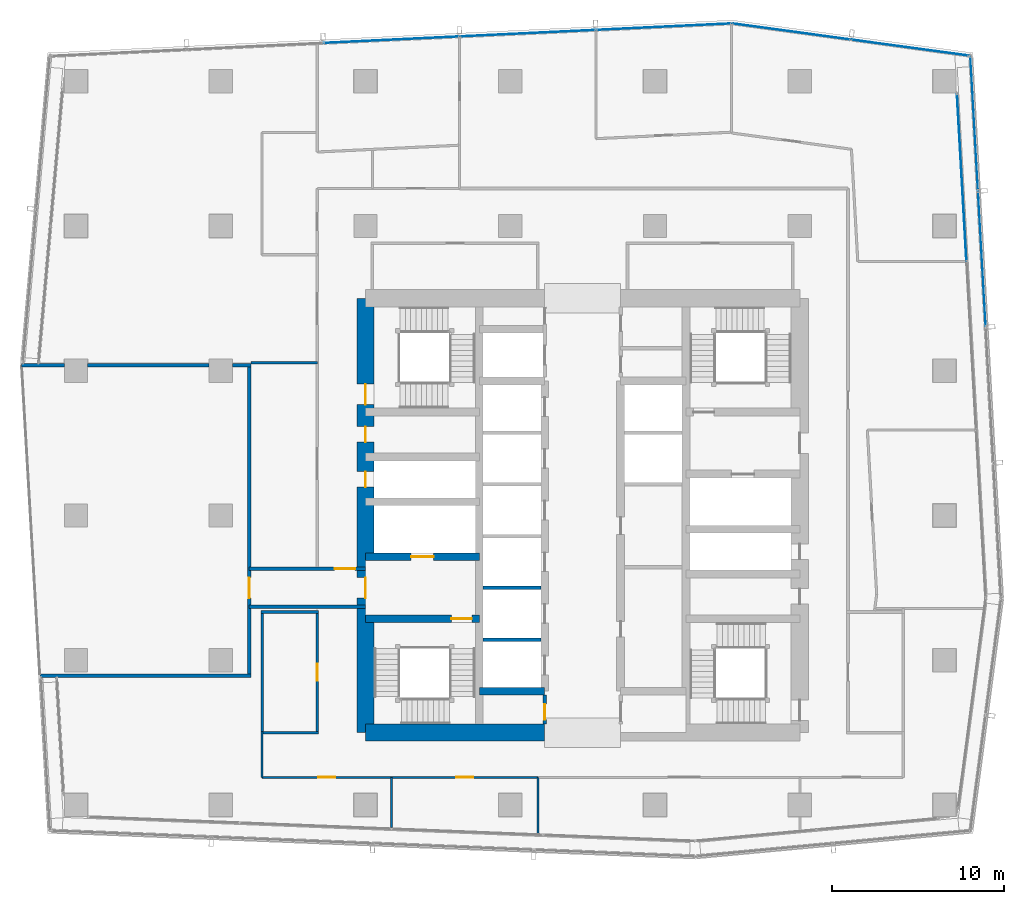
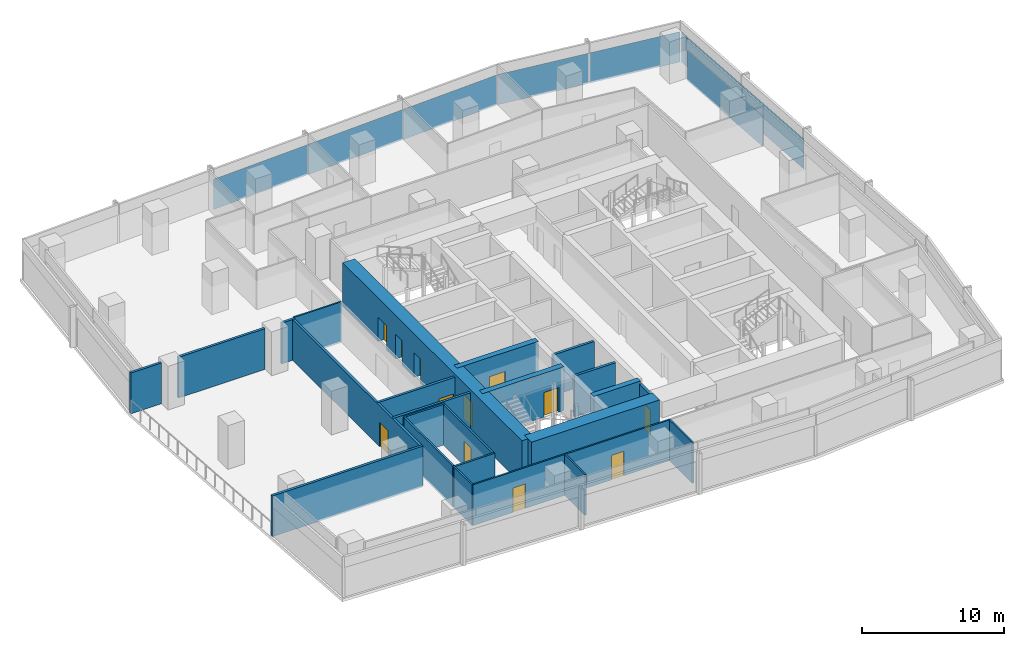
# One storey, part 26 of 39: 25 walls, 12 doors, 8 plates, 12 openings, 4 elements without a shape of their own.
"""IFC4 building model written with IfcOpenShell, lengths in metres."""

from ifc_helpers import new_model, si_unit, direction, frame, frame_2d, origin, origin_2d, place, context, subcontext, project, spatial, rectangle, extrude, material, layer, layer_set, type_object, element, fill, aggregate, save


model = new_model("IFC4")

# Units and contexts
model_context = context("Model", 3, precision=1e-05, world=origin(), true_north=direction((0.0, 1.0)))
body_context = subcontext(model_context, "Body", "Model", "MODEL_VIEW")
ifc_project = project(units=[si_unit("LENGTHUNIT", "METRE"), si_unit("AREAUNIT", "SQUARE_METRE"), si_unit("VOLUMEUNIT", "CUBIC_METRE"), si_unit("PLANEANGLEUNIT", "RADIAN"), si_unit("MASSUNIT", "GRAM", prefix="KILO")], contexts=[model_context])

# Site, building, storey
site_placement = place(None, origin())
site = spatial("IfcSite", under=ifc_project, at=site_placement, CompositionType="ELEMENT")
building_placement = place(site_placement, origin())
building = spatial("IfcBuilding", under=site, at=building_placement, Name="Rekha Terrace Tower", CompositionType="ELEMENT")
storey_placement = place(building_placement, frame((0.0, 0.0, 221.449951171875)))
storey = spatial("IfcBuildingStorey", under=building, at=storey_placement, Name="L56", CompositionType="ELEMENT", Elevation=221.449951171875)

# Curtain wall, plate
ifc_material_1 = material(Name="Aluminium framing", Category="aluminium")
curtain_wall_type_1 = type_object("IfcCurtainWallType", Name="CW1 double skin inner glazing", PredefinedType="USERDEFINED", material=ifc_material_1)
curtain_wall_1_placement = place(storey_placement, origin())
curtain_wall_1 = element("IfcCurtainWall", 1, at=curtain_wall_1_placement, inside=storey, type_object=curtain_wall_type_1, Name="CW1 double skin inner glazing", ObjectType="DOUBLE SKIN INNER GLAZING", PredefinedType="USERDEFINED")
ifc_material_2 = material(Name="Double-glazed low-e unit 32", Category="glass")
ifc_layer_1 = layer(ifc_material_2, 0.031982421875)
ifc_layer_set_1 = layer_set([ifc_layer_1], Name="Double-glazed low-e unit 32")
plate_type_1 = type_object("IfcPlateType", Name="CW1 jumbo vision panel, double-glazed low-e unit 32", PredefinedType="CURTAIN_PANEL", material=ifc_layer_set_1)
plate_1_placement = place(storey_placement, frame((59.799560546875, 53.203369140625, 0.0), z_axis=(0.0, 0.0, 1.0), x_axis=(-0.05667319486, 0.998392782919, 0.0)))
plate_1 = element("IfcPlate", 2, at=plate_1_placement, type_object=plate_type_1, Name="CW1 panel 3.1", PredefinedType="CURTAIN_PANEL", context=body_context, shape_type="SweptSolid", body=[
    extrude(rectangle(XDim=9.694091796875, YDim=0.031982421875, at=origin_2d()), origin(), (0.0, 0.0, 1.0), 2.60009765625),
])
aggregate(curtain_wall_1, [plate_1])

# Curtain wall, plates
curtain_wall_type_2 = type_object("IfcCurtainWallType", Name="CW2 double skin outer glazing", PredefinedType="USERDEFINED", material=ifc_material_1)
curtain_wall_2_placement = place(storey_placement, origin())
curtain_wall_2 = element("IfcCurtainWall", 3, at=curtain_wall_2_placement, inside=storey, type_object=curtain_wall_type_2, Name="CW2 double skin outer glazing", ObjectType="DOUBLE SKIN OUTER GLAZING", PredefinedType="USERDEFINED")
ifc_material_3 = material(Name="Toughened single glazing 12", Category="glass")
ifc_layer_2 = layer(ifc_material_3, 0.011962890625)
ifc_layer_set_2 = layer_set([ifc_layer_2], Name="Toughened single glazing 12")
plate_type_2 = type_object("IfcPlateType", Name="CW2 jumbo vision panel, toughened single glazing 12", PredefinedType="CURTAIN_PANEL", material=ifc_layer_set_2)
plate_2_placement = place(storey_placement, frame((60.9697265625, 48.47314453125, 0.0), z_axis=(0.0, 0.0, 1.0), x_axis=(-0.05667319486, 0.998392782919, 0.0)))
plate_2 = element("IfcPlate", 4, at=plate_2_placement, type_object=plate_type_2, Name="CW2 panel 3.1", PredefinedType="CURTAIN_PANEL", context=body_context, shape_type="SweptSolid", body=[
    extrude(rectangle(XDim=7.823486328125, YDim=0.011962890625, at=origin_2d()), origin(), (0.0, 0.0, 1.0), 2.60009765625),
])
plate_3_placement = place(storey_placement, frame((60.522705078125, 56.343994140625, 0.0), z_axis=(0.0, 0.0, 1.0), x_axis=(-0.05667319486, 0.998392782919, 0.0)))
plate_3 = element("IfcPlate", 5, at=plate_3_placement, type_object=plate_type_2, Name="CW2 panel 4.1", PredefinedType="CURTAIN_PANEL", context=body_context, shape_type="SweptSolid", body=[
    extrude(rectangle(XDim=7.783447265625, YDim=0.011962890625, at=origin_2d()), origin(), (0.0, 0.0, 1.0), 2.60009765625),
])
aggregate(curtain_wall_2, [plate_2, plate_3])

curtain_wall_type_3 = type_object("IfcCurtainWallType", Name="CW3 north unitised glazing", PredefinedType="USERDEFINED", material=ifc_material_1)
curtain_wall_3_placement = place(storey_placement, origin())
curtain_wall_3 = element("IfcCurtainWall", 6, at=curtain_wall_3_placement, inside=storey, type_object=curtain_wall_type_3, Name="CW3 unitised curtain wall", ObjectType="UNITISED CURTAIN WALL", PredefinedType="USERDEFINED")
ifc_material_4 = material(Name="Double-glazed unit 28", Category="glass")
ifc_layer_3 = layer(ifc_material_4, 0.028076171875)
ifc_layer_set_3 = layer_set([ifc_layer_3], Name="Double-glazed unit 28")
plate_type_3 = type_object("IfcPlateType", Name="CW3 jumbo vision panel, double-glazed unit 28", PredefinedType="CURTAIN_PANEL", material=ifc_layer_set_3)
plate_4_placement = place(storey_placement, frame((56.797119140625, 60.745361328125, 0.0), z_axis=(0.0, 0.0, 1.0), x_axis=(-0.990867270504, 0.134840840416, 0.0)))
plate_4 = element("IfcPlate", 7, at=plate_4_placement, type_object=plate_type_3, Name="CW3 panel 1.1", PredefinedType="CURTAIN_PANEL", context=body_context, shape_type="SweptSolid", body=[
    extrude(rectangle(XDim=6.8486328125, YDim=0.028076171875, at=origin_2d()), origin(), (0.0, 0.0, 1.0), 2.60009765625),
])
plate_5_placement = place(storey_placement, frame((49.906982421875, 61.682861328125, 0.0), z_axis=(0.0, 0.0, 1.0), x_axis=(-0.990867270504, 0.134840840416, 0.0)))
plate_5 = element("IfcPlate", 8, at=plate_5_placement, type_object=plate_type_3, Name="CW3 panel 2.1", PredefinedType="CURTAIN_PANEL", context=body_context, shape_type="SweptSolid", body=[
    extrude(rectangle(XDim=6.918701171875, YDim=0.028076171875, at=origin_2d()), origin(), (0.0, 0.0, 1.0), 2.60009765625),
])
aggregate(curtain_wall_3, [plate_4, plate_5])

curtain_wall_4_placement = place(storey_placement, origin())
curtain_wall_4 = element("IfcCurtainWall", 9, at=curtain_wall_4_placement, inside=storey, type_object=curtain_wall_type_3, Name="CW3 unitised curtain wall", ObjectType="UNITISED CURTAIN WALL", PredefinedType="USERDEFINED")
plate_6_placement = place(storey_placement, frame((42.50732421875, 61.95947265625, 0.0), z_axis=(0.0, 0.0, 1.0), x_axis=(-0.998858906204, -0.047758616983, 0.0)))
plate_6 = element("IfcPlate", 10, at=plate_6_placement, type_object=plate_type_3, Name="CW3 panel 1.1", PredefinedType="CURTAIN_PANEL", context=body_context, shape_type="SweptSolid", body=[
    extrude(rectangle(XDim=7.81298828125, YDim=0.028076171875, at=origin_2d()), origin(), (0.0, 0.0, 1.0), 2.60009765625),
])
plate_7_placement = place(storey_placement, frame((34.61572265625, 61.58203125, 0.0), z_axis=(0.0, 0.0, 1.0), x_axis=(-0.998858906204, -0.047758616983, 0.0)))
plate_7 = element("IfcPlate", 11, at=plate_7_placement, type_object=plate_type_3, Name="CW3 panel 2.1", PredefinedType="CURTAIN_PANEL", context=body_context, shape_type="SweptSolid", body=[
    extrude(rectangle(XDim=7.84814453125, YDim=0.028076171875, at=origin_2d()), origin(), (0.0, 0.0, 1.0), 2.60009765625),
])
plate_8_placement = place(storey_placement, frame((26.70654296875, 61.203857421875, 0.0), z_axis=(0.0, 0.0, 1.0), x_axis=(-0.998858906204, -0.047758616983, 0.0)))
plate_8 = element("IfcPlate", 12, at=plate_8_placement, type_object=plate_type_3, Name="CW3 panel 3.1", PredefinedType="CURTAIN_PANEL", context=body_context, shape_type="SweptSolid", body=[
    extrude(rectangle(XDim=7.84814453125, YDim=0.028076171875, at=origin_2d()), origin(), (0.0, 0.0, 1.0), 2.60009765625),
])
aggregate(curtain_wall_4, [plate_6, plate_7, plate_8])

# Wall
ifc_material_5 = material(Name="Concrete M60", Category="concrete")
ifc_layer_4 = layer(ifc_material_5, 0.449951171875)
ifc_layer_set_4 = layer_set([ifc_layer_4], Name="Concrete M60")
wall_type_1 = type_object("IfcWallType", Name="CI3 450 core internal shear wall", PredefinedType="SHEAR", material=ifc_layer_set_4)
wall_1_placement = place(storey_placement, frame((31.800048828125, 23.39990234375, 0.0), z_axis=(0.0, 0.0, 1.0), x_axis=(1.0, 0.0, 0.0)))
element("IfcWall", 13, at=wall_1_placement, inside=storey, type_object=wall_type_1, Name="Core wall Y234W L56", PredefinedType="SHEAR", context=body_context, shape_type="SweptSolid", body=[
    extrude(rectangle(XDim=3.800048828125, YDim=0.449951171875, at=frame_2d((1.89990234375, 0.0))), origin(), (0.0, 0.0, 1.0), 3.75),
])

# Wall, opening, door
wall_2_placement = place(storey_placement, frame((25.199951171875, 27.60009765625, 0.0), z_axis=(0.0, 0.0, 1.0), x_axis=(1.0, 0.0, 0.0)))
wall_2 = element("IfcWall", 14, at=wall_2_placement, inside=storey, type_object=wall_type_1, Name="Core wall Y276W L56", PredefinedType="SHEAR", context=body_context, shape_type="SweptSolid", body=[
    extrude(rectangle(XDim=6.60009765625, YDim=0.449951171875, at=frame_2d((3.300048828125, 0.0))), origin(), (0.0, 0.0, 1.0), 3.75),
])
opening_1_placement = place(wall_2_placement, frame((4.97509765625, 0.0, 0.0)))
opening_1 = element("IfcOpeningElement", 15, at=opening_1_placement, cuts=wall_2, Name="Opening D1", PredefinedType="OPENING", context=body_context, shape_type="SweptSolid", body=[
    extrude(rectangle(XDim=1.199951171875, YDim=2.10009765625, at=frame_2d((0.60009765625, 1.050048828125))), frame((0.0, 0.23486328125, 0.0), z_axis=(0.0, -1.0, 0.0), x_axis=(1.0, 0.0, 0.0)), (0.0, 0.0, 1.0), 0.469970703125),
])
ifc_material_6 = material(Name="Steel fire door", Category="steel")
door_type_1 = type_object("IfcDoorType", Name="D1 1200x2100 stair fire door", OperationType="SINGLE_SWING_RIGHT", PredefinedType="DOOR", material=ifc_material_6)
door_1_placement = place(opening_1_placement, origin())
door_1 = element("IfcDoor", 16, at=door_1_placement, inside=storey, type_object=door_type_1, Name="Stair ST1 door L56", OperationType="SINGLE_SWING_RIGHT", OverallHeight=2.10009765625, OverallWidth=1.199951171875, PredefinedType="DOOR", context=body_context, shape_type="SweptSolid", body=[
    extrude(rectangle(XDim=1.199951171875, YDim=2.10009765625, at=frame_2d((0.60009765625, 1.050048828125))), frame((0.0, 0.02490234375, 0.0), z_axis=(0.0, -1.0, 0.0), x_axis=(1.0, 0.0, 0.0)), (0.0, 0.0, 1.0), 0.050048828125),
])
fill(opening_1, door_1)

wall_3_placement = place(storey_placement, frame((25.199951171875, 31.199951171875, 0.0), z_axis=(0.0, 0.0, 1.0), x_axis=(1.0, 0.0, 0.0)))
wall_3 = element("IfcWall", 17, at=wall_3_placement, inside=storey, type_object=wall_type_1, Name="Core wall Y312W L56", PredefinedType="SHEAR", context=body_context, shape_type="SweptSolid", body=[
    extrude(rectangle(XDim=6.60009765625, YDim=0.449951171875, at=frame_2d((3.300048828125, 0.0))), origin(), (0.0, 0.0, 1.0), 3.75),
])
opening_2_placement = place(wall_3_placement, frame((2.64990234375, 0.0, 0.0)))
opening_2 = element("IfcOpeningElement", 18, at=opening_2_placement, cuts=wall_3, Name="Opening LD2", PredefinedType="OPENING", context=body_context, shape_type="SweptSolid", body=[
    extrude(rectangle(XDim=1.300048828125, YDim=2.10009765625, at=frame_2d((0.64990234375, 1.050048828125))), frame((0.0, 0.23486328125, 0.0), z_axis=(0.0, -1.0, 0.0), x_axis=(1.0, 0.0, 0.0)), (0.0, 0.0, 1.0), 0.469970703125),
])
ifc_material_7 = material(Name="Stainless steel sliding landing door", Category="steel")
door_type_2 = type_object("IfcDoorType", Name="LD2 1300x2100 fire lift landing door", OperationType="SLIDING_TO_LEFT", PredefinedType="USERDEFINED", material=ifc_material_7)
door_2_placement = place(opening_2_placement, origin())
door_2 = element("IfcDoor", 19, at=door_2_placement, inside=storey, type_object=door_type_2, Name="Lift FL1 landing door L56", ObjectType="LIFT LANDING DOOR", OperationType="SLIDING_TO_LEFT", OverallHeight=2.10009765625, OverallWidth=1.300048828125, PredefinedType="USERDEFINED", context=body_context, shape_type="SweptSolid", body=[
    extrude(rectangle(XDim=1.300048828125, YDim=2.10009765625, at=frame_2d((0.64990234375, 1.050048828125))), frame((0.0, 0.02490234375, 0.0), z_axis=(0.0, -1.0, 0.0), x_axis=(1.0, 0.0, 0.0)), (0.0, 0.0, 1.0), 0.050048828125),
])
fill(opening_2, door_2)

# Wall
ifc_layer_5 = layer(ifc_material_5, 1.0)
ifc_layer_set_5 = layer_set([ifc_layer_5], Name="Concrete M60")
wall_type_2 = type_object("IfcWallType", Name="SW3 1000 core outer shear wall", PredefinedType="SHEAR", material=ifc_layer_set_5)
wall_4_placement = place(storey_placement, frame((25.199951171875, 21.0, 0.0), z_axis=(0.0, 0.0, 1.0), x_axis=(1.0, 0.0, 0.0)))
element("IfcWall", 20, at=wall_4_placement, inside=storey, type_object=wall_type_2, Name="Core wall S1 L56", PredefinedType="SHEAR", context=body_context, shape_type="SweptSolid", body=[
    extrude(rectangle(XDim=10.400146484375, YDim=1.0, at=frame_2d((5.2001953125, 0.0))), origin(), (0.0, 0.0, 1.0), 3.75),
])

# Wall, openings, doors
wall_5_placement = place(storey_placement, frame((25.199951171875, 21.0, 0.0), z_axis=(0.0, 0.0, 1.0), x_axis=(0.0, 1.0, 0.0)))
wall_5 = element("IfcWall", 21, at=wall_5_placement, inside=storey, type_object=wall_type_2, Name="Core wall W L56", PredefinedType="SHEAR", context=body_context, shape_type="SweptSolid", body=[
    extrude(rectangle(XDim=25.199951171875, YDim=1.0, at=frame_2d((12.60009765625, 0.0))), origin(), (0.0, 0.0, 1.0), 3.75),
])
opening_3_placement = place(wall_5_placement, frame((7.800048828125, 0.0, 0.0)))
opening_3 = element("IfcOpeningElement", 22, at=opening_3_placement, cuts=wall_5, Name="Opening D2", PredefinedType="OPENING", context=body_context, shape_type="SweptSolid", body=[
    extrude(rectangle(XDim=1.199951171875, YDim=2.10009765625, at=frame_2d((0.60009765625, 1.050048828125))), frame((0.0, 0.510009765625, 0.0), z_axis=(0.0, -1.0, 0.0), x_axis=(1.0, 0.0, 0.0)), (0.0, 0.0, 1.0), 1.02001953125),
])
opening_4_placement = place(wall_5_placement, frame((14.25, 0.0, 0.0)))
opening_4 = element("IfcOpeningElement", 23, at=opening_4_placement, cuts=wall_5, Name="Opening D5", PredefinedType="OPENING", context=body_context, shape_type="SweptSolid", body=[
    extrude(rectangle(XDim=0.89990234375, YDim=2.10009765625, at=frame_2d((0.449951171875, 1.050048828125))), frame((0.0, 0.510009765625, 0.0), z_axis=(0.0, -1.0, 0.0), x_axis=(1.0, 0.0, 0.0)), (0.0, 0.0, 1.0), 1.02001953125),
])
opening_5_placement = place(wall_5_placement, frame((16.85009765625, 0.0, 0.0)))
opening_5 = element("IfcOpeningElement", 24, at=opening_5_placement, cuts=wall_5, Name="Opening D5", PredefinedType="OPENING", context=body_context, shape_type="SweptSolid", body=[
    extrude(rectangle(XDim=0.89990234375, YDim=2.10009765625, at=frame_2d((0.449951171875, 1.050048828125))), frame((0.0, 0.510009765625, 0.0), z_axis=(0.0, -1.0, 0.0), x_axis=(1.0, 0.0, 0.0)), (0.0, 0.0, 1.0), 1.02001953125),
])
opening_6_placement = place(wall_5_placement, frame((19.02490234375, 0.0, 0.0)))
opening_6 = element("IfcOpeningElement", 25, at=opening_6_placement, cuts=wall_5, Name="Opening D1", PredefinedType="OPENING", context=body_context, shape_type="SweptSolid", body=[
    extrude(rectangle(XDim=1.199951171875, YDim=2.10009765625, at=frame_2d((0.60009765625, 1.050048828125))), frame((0.0, 0.510009765625, 0.0), z_axis=(0.0, -1.0, 0.0), x_axis=(1.0, 0.0, 0.0)), (0.0, 0.0, 1.0), 1.02001953125),
])
door_3_placement = place(opening_6_placement, origin())
door_3 = element("IfcDoor", 26, at=door_3_placement, inside=storey, type_object=door_type_1, Name="Stair ST4 door L56", OperationType="SINGLE_SWING_RIGHT", OverallHeight=2.10009765625, OverallWidth=1.199951171875, PredefinedType="DOOR", context=body_context, shape_type="SweptSolid", body=[
    extrude(rectangle(XDim=1.199951171875, YDim=2.10009765625, at=frame_2d((0.60009765625, 1.050048828125))), frame((0.0, 0.02490234375, 0.0), z_axis=(0.0, -1.0, 0.0), x_axis=(1.0, 0.0, 0.0)), (0.0, 0.0, 1.0), 0.050048828125),
])
fill(opening_6, door_3)
door_type_3 = type_object("IfcDoorType", Name="D2 1200x2100 firefighting lobby door", OperationType="SINGLE_SWING_LEFT", PredefinedType="DOOR", material=ifc_material_6)
door_4_placement = place(opening_3_placement, origin())
door_4 = element("IfcDoor", 27, at=door_4_placement, inside=storey, type_object=door_type_3, Name="Door flb1 L56", OperationType="SINGLE_SWING_LEFT", OverallHeight=2.10009765625, OverallWidth=1.199951171875, PredefinedType="DOOR", context=body_context, shape_type="SweptSolid", body=[
    extrude(rectangle(XDim=1.199951171875, YDim=2.10009765625, at=frame_2d((0.60009765625, 1.050048828125))), frame((0.0, 0.02490234375, 0.0), z_axis=(0.0, -1.0, 0.0), x_axis=(1.0, 0.0, 0.0)), (0.0, 0.0, 1.0), 0.050048828125),
])
fill(opening_3, door_4)
door_type_4 = type_object("IfcDoorType", Name="D5 900x2100 riser access door", OperationType="SINGLE_SWING_LEFT", PredefinedType="DOOR", material=ifc_material_6)
door_5_placement = place(opening_4_placement, origin())
door_5 = element("IfcDoor", 28, at=door_5_placement, inside=storey, type_object=door_type_4, Name="Door rs1 L56", OperationType="SINGLE_SWING_LEFT", OverallHeight=2.10009765625, OverallWidth=0.89990234375, PredefinedType="DOOR", context=body_context, shape_type="SweptSolid", body=[
    extrude(rectangle(XDim=0.89990234375, YDim=2.10009765625, at=frame_2d((0.449951171875, 1.050048828125))), frame((0.0, 0.02490234375, 0.0), z_axis=(0.0, -1.0, 0.0), x_axis=(1.0, 0.0, 0.0)), (0.0, 0.0, 1.0), 0.050048828125),
])
fill(opening_4, door_5)
door_6_placement = place(opening_5_placement, origin())
door_6 = element("IfcDoor", 29, at=door_6_placement, inside=storey, type_object=door_type_4, Name="Door elw L56", OperationType="SINGLE_SWING_LEFT", OverallHeight=2.10009765625, OverallWidth=0.89990234375, PredefinedType="DOOR", context=body_context, shape_type="SweptSolid", body=[
    extrude(rectangle(XDim=0.89990234375, YDim=2.10009765625, at=frame_2d((0.449951171875, 1.050048828125))), frame((0.0, 0.02490234375, 0.0), z_axis=(0.0, -1.0, 0.0), x_axis=(1.0, 0.0, 0.0)), (0.0, 0.0, 1.0), 0.050048828125),
])
fill(opening_5, door_6)

# Walls
ifc_material_8 = material(Name="Concrete block masonry, 1 hour", Category="masonry")
ifc_layer_6 = layer(ifc_material_8, 0.14990234375)
ifc_layer_set_6 = layer_set([ifc_layer_6], Name="Concrete block masonry, 1 hour")
wall_type_3 = type_object("IfcWallType", Name="WP2 150 tenancy partition", PredefinedType="PARTITIONING", material=ifc_layer_set_6)
for number, where, z_axis, x_axis, name in (
    (30, (19.125, 21.0, 0.0), (0.0, 0.0, 1.0), (1.0, 0.0, 0.0), "Men's WC wall L56"),
    (31, (19.125, 28.0, 0.0), (0.0, 0.0, 1.0), (1.0, 0.0, 0.0), "Men's WC wall L56"),
):
    element("IfcWall", number, at=place(storey_placement, frame(where, z_axis=z_axis, x_axis=x_axis)), inside=storey, type_object=wall_type_3, Name=name, PredefinedType="PARTITIONING", context=body_context, shape_type="SweptSolid", body=[
        extrude(rectangle(XDim=3.35009765625, YDim=0.14990234375, at=frame_2d((1.675048828125, 0.0))), origin(), (0.0, 0.0, 1.0), 3.5),
    ])
wall_6_placement = place(storey_placement, frame((19.199951171875, 21.074951171875, 0.0), z_axis=(0.0, 0.0, 1.0), x_axis=(0.0, 1.0, 0.0)))
element("IfcWall", 32, at=wall_6_placement, inside=storey, type_object=wall_type_3, Name="Men's WC wall L56", PredefinedType="PARTITIONING", context=body_context, shape_type="SweptSolid", body=[
    extrude(rectangle(XDim=6.85009765625, YDim=0.14990234375, at=frame_2d((3.425048828125, 0.0))), origin(), (0.0, 0.0, 1.0), 3.5),
])

# Wall, opening, door
wall_7_placement = place(storey_placement, frame((22.39990234375, 21.074951171875, 0.0), z_axis=(0.0, 0.0, 1.0), x_axis=(0.0, 1.0, 0.0)))
wall_7 = element("IfcWall", 33, at=wall_7_placement, inside=storey, type_object=wall_type_3, Name="Men's WC wall L56", PredefinedType="PARTITIONING", context=body_context, shape_type="SweptSolid", body=[
    extrude(rectangle(XDim=6.85009765625, YDim=0.14990234375, at=frame_2d((3.425048828125, 0.0))), origin(), (0.0, 0.0, 1.0), 3.5),
])
opening_7_placement = place(wall_7_placement, frame((2.925048828125, 0.0, 0.0)))
opening_7 = element("IfcOpeningElement", 34, at=opening_7_placement, cuts=wall_7, Name="Opening D3", PredefinedType="OPENING", context=body_context, shape_type="SweptSolid", body=[
    extrude(rectangle(XDim=1.0, YDim=2.10009765625, at=frame_2d((0.5, 1.050048828125))), frame((0.0, 0.0849609375, 0.0), z_axis=(0.0, -1.0, 0.0), x_axis=(1.0, 0.0, 0.0)), (0.0, 0.0, 1.0), 0.169921875),
])
ifc_material_9 = material(Name="Laminated timber fire door", Category="wood")
door_type_5 = type_object("IfcDoorType", Name="D3 1000x2100 WC door", OperationType="SINGLE_SWING_LEFT", PredefinedType="DOOR", material=ifc_material_9)
door_7_placement = place(opening_7_placement, origin())
door_7 = element("IfcDoor", 35, at=door_7_placement, inside=storey, type_object=door_type_5, Name="Door men's wc L56", OperationType="SINGLE_SWING_LEFT", OverallHeight=2.10009765625, OverallWidth=1.0, PredefinedType="DOOR", context=body_context, shape_type="SweptSolid", body=[
    extrude(rectangle(XDim=1.0, YDim=2.10009765625, at=frame_2d((0.5, 1.050048828125))), frame((0.0, 0.02490234375, 0.0), z_axis=(0.0, -1.0, 0.0), x_axis=(1.0, 0.0, 0.0)), (0.0, 0.0, 1.0), 0.050048828125),
])
fill(opening_7, door_7)

# Walls
ifc_material_10 = material(Name="Two layers of fire-rated gypsum board each side on steel studs, acoustic quilt, 1 hour", Category="steel")
ifc_layer_7 = layer(ifc_material_10, 0.125)
ifc_layer_set_7 = layer_set([ifc_layer_7], Name="Two layers of fire-rated gypsum board each side on steel studs, acoustic quilt, 1 hour")
wall_type_4 = type_object("IfcWallType", Name="WP3 125 office partition", PredefinedType="PARTITIONING", material=ifc_layer_set_7)
wall_8_placement = place(storey_placement, frame((35.198974609375, 15.1259765625, 0.0), z_axis=(0.0, 0.0, 1.0), x_axis=(0.0, 1.0, 0.0)))
element("IfcWall", 36, at=wall_8_placement, inside=storey, type_object=wall_type_4, Name="Partition L56-02", PredefinedType="PARTITIONING", context=body_context, shape_type="SweptSolid", body=[
    extrude(rectangle(XDim=3.27392578125, YDim=0.125, at=frame_2d((1.636962890625, 0.0))), origin(), (0.0, 0.0, 1.0), 3.5),
])
wall_9_placement = place(storey_placement, frame((22.39990234375, 42.4599609375, 0.0), z_axis=(0.0, 0.0, 1.0), x_axis=(-1.0, 0.0, 0.0)))
element("IfcWall", 37, at=wall_9_placement, inside=storey, type_object=wall_type_4, Name="Partition L56-09", PredefinedType="PARTITIONING", context=body_context, shape_type="SweptSolid", body=[
    extrude(rectangle(XDim=3.848876953125, YDim=0.125, at=frame_2d((1.92431640625, 0.0))), origin(), (0.0, 0.0, 1.0), 3.5),
])
wall_10_placement = place(storey_placement, frame((19.199951171875, 21.074951171875, 0.0), z_axis=(0.0, 0.0, 1.0), x_axis=(0.0, -1.0, 0.0)))
element("IfcWall", 38, at=wall_10_placement, inside=storey, type_object=wall_type_4, Name="Partition L56-10", PredefinedType="PARTITIONING", context=body_context, shape_type="SweptSolid", body=[
    extrude(rectangle(XDim=2.675048828125, YDim=0.125, at=frame_2d((1.33740234375, 0.0))), origin(), (0.0, 0.0, 1.0), 3.5),
])

# Wall, opening, door
wall_11_placement = place(storey_placement, frame((19.199951171875, 18.39990234375, 0.0), z_axis=(0.0, 0.0, 1.0), x_axis=(1.0, 0.0, 0.0)))
wall_11 = element("IfcWall", 39, at=wall_11_placement, inside=storey, type_object=wall_type_4, Name="Partition L56-10", PredefinedType="PARTITIONING", context=body_context, shape_type="SweptSolid", body=[
    extrude(rectangle(XDim=7.5029296875, YDim=0.125, at=frame_2d((3.75146484375, 0.0))), origin(), (0.0, 0.0, 1.0), 3.5),
])
opening_8_placement = place(wall_11_placement, frame((3.251953125, 0.0, 0.0)))
opening_8 = element("IfcOpeningElement", 40, at=opening_8_placement, cuts=wall_11, Name="Opening D9", PredefinedType="OPENING", context=body_context, shape_type="SweptSolid", body=[
    extrude(rectangle(XDim=1.0, YDim=2.10009765625, at=frame_2d((0.5, 1.050048828125))), frame((0.0, 0.072509765625, 0.0), z_axis=(0.0, -1.0, 0.0), x_axis=(1.0, 0.0, 0.0)), (0.0, 0.0, 1.0), 0.14501953125),
])
ifc_material_11 = material(Name="Timber fire door", Category="wood")
door_type_6 = type_object("IfcDoorType", Name="D9 1000x2100 office door", OperationType="SINGLE_SWING_LEFT", PredefinedType="DOOR", material=ifc_material_11)
door_8_placement = place(opening_8_placement, origin())
door_8 = element("IfcDoor", 41, at=door_8_placement, inside=storey, type_object=door_type_6, Name="Door director's office L56", OperationType="SINGLE_SWING_LEFT", OverallHeight=2.10009765625, OverallWidth=1.0, PredefinedType="DOOR", context=body_context, shape_type="SweptSolid", body=[
    extrude(rectangle(XDim=1.0, YDim=2.10009765625, at=frame_2d((0.5, 1.050048828125))), frame((0.0, 0.02490234375, 0.0), z_axis=(0.0, -1.0, 0.0), x_axis=(1.0, 0.0, 0.0)), (0.0, 0.0, 1.0), 0.050048828125),
])
fill(opening_8, door_8)

# Wall
wall_12_placement = place(storey_placement, frame((26.702880859375, 18.39990234375, 0.0), z_axis=(0.0, 0.0, 1.0), x_axis=(0.0, -1.0, 0.0)))
element("IfcWall", 42, at=wall_12_placement, inside=storey, type_object=wall_type_4, Name="Partition L56-10", PredefinedType="PARTITIONING", context=body_context, shape_type="SweptSolid", body=[
    extrude(rectangle(XDim=2.90478515625, YDim=0.125, at=frame_2d((1.452392578125, 0.0))), origin(), (0.0, 0.0, 1.0), 3.5),
])

# Wall, opening, door
wall_13_placement = place(storey_placement, frame((26.7041015625, 18.39990234375, 0.0), z_axis=(0.0, 0.0, 1.0), x_axis=(1.0, 0.0, 0.0)))
wall_13 = element("IfcWall", 43, at=wall_13_placement, inside=storey, type_object=wall_type_4, Name="Partition L56-11", PredefinedType="PARTITIONING", context=body_context, shape_type="SweptSolid", body=[
    extrude(rectangle(XDim=8.493896484375, YDim=0.125, at=frame_2d((4.2470703125, 0.0))), origin(), (0.0, 0.0, 1.0), 3.5),
])
opening_9_placement = place(wall_13_placement, frame((3.7470703125, 0.0, 0.0)))
opening_9 = element("IfcOpeningElement", 44, at=opening_9_placement, cuts=wall_13, Name="Opening D9", PredefinedType="OPENING", context=body_context, shape_type="SweptSolid", body=[
    extrude(rectangle(XDim=1.0, YDim=2.10009765625, at=frame_2d((0.5, 1.050048828125))), frame((0.0, 0.072509765625, 0.0), z_axis=(0.0, -1.0, 0.0), x_axis=(1.0, 0.0, 0.0)), (0.0, 0.0, 1.0), 0.14501953125),
])
door_9_placement = place(opening_9_placement, origin())
door_9 = element("IfcDoor", 45, at=door_9_placement, inside=storey, type_object=door_type_6, Name="Door meeting room L56", OperationType="SINGLE_SWING_LEFT", OverallHeight=2.10009765625, OverallWidth=1.0, PredefinedType="DOOR", context=body_context, shape_type="SweptSolid", body=[
    extrude(rectangle(XDim=1.0, YDim=2.10009765625, at=frame_2d((0.5, 1.050048828125))), frame((0.0, 0.02490234375, 0.0), z_axis=(0.0, -1.0, 0.0), x_axis=(1.0, 0.0, 0.0)), (0.0, 0.0, 1.0), 0.050048828125),
])
fill(opening_9, door_9)

# Walls
ifc_material_12 = material(Name="Solid concrete block masonry, 2 hour", Category="masonry")
ifc_layer_8 = layer(ifc_material_12, 0.199951171875)
ifc_layer_set_8 = layer_set([ifc_layer_8], Name="Solid concrete block masonry, 2 hour")
wall_type_5 = type_object("IfcWallType", Name="WS1 200 stair and shaft enclosure", PredefinedType="PARTITIONING", material=ifc_layer_set_8)
for number, where, z_axis, x_axis, name in (
    (46, (32.02490234375, 26.39990234375, 0.0), (0.0, 0.0, 1.0), (1.0, 0.0, 0.0), "Lift shaft divider L56"),
    (47, (32.02490234375, 29.39990234375, 0.0), (0.0, 0.0, 1.0), (1.0, 0.0, 0.0), "Lift shaft divider L56"),
):
    element("IfcWall", number, at=place(storey_placement, frame(where, z_axis=z_axis, x_axis=x_axis)), inside=storey, type_object=wall_type_5, Name=name, PredefinedType="PARTITIONING", context=body_context, shape_type="SweptSolid", body=[
        extrude(rectangle(XDim=3.35009765625, YDim=0.199951171875, at=frame_2d((1.675048828125, 0.0))), origin(), (0.0, 0.0, 1.0), 3.5),
    ])

# Wall, opening, door
wall_14_placement = place(storey_placement, frame((35.60009765625, 21.5, 0.0), z_axis=(0.0, 0.0, 1.0), x_axis=(0.0, 1.0, 0.0)))
wall_14 = element("IfcWall", 48, at=wall_14_placement, inside=storey, type_object=wall_type_5, Name="Core partition west L56", PredefinedType="PARTITIONING", context=body_context, shape_type="SweptSolid", body=[
    extrude(rectangle(XDim=1.675048828125, YDim=0.199951171875, at=frame_2d((0.83740234375, 0.0))), origin(), (0.0, 0.0, 1.0), 3.5),
])
opening_10_placement = place(wall_14_placement, frame((0.25, 0.0, 0.0)))
opening_10 = element("IfcOpeningElement", 49, at=opening_10_placement, cuts=wall_14, Name="Opening D5", PredefinedType="OPENING", context=body_context, shape_type="SweptSolid", body=[
    extrude(rectangle(XDim=0.89990234375, YDim=2.10009765625, at=frame_2d((0.449951171875, 1.050048828125))), frame((0.0, 0.10986328125, 0.0), z_axis=(0.0, -1.0, 0.0), x_axis=(1.0, 0.0, 0.0)), (0.0, 0.0, 1.0), 0.219970703125),
])
door_10_placement = place(opening_10_placement, origin())
door_10 = element("IfcDoor", 50, at=door_10_placement, inside=storey, type_object=door_type_4, Name="Door cleaner's store L56", OperationType="SINGLE_SWING_LEFT", OverallHeight=2.10009765625, OverallWidth=0.89990234375, PredefinedType="DOOR", context=body_context, shape_type="SweptSolid", body=[
    extrude(rectangle(XDim=0.89990234375, YDim=2.10009765625, at=frame_2d((0.449951171875, 1.050048828125))), frame((0.0, 0.02490234375, 0.0), z_axis=(0.0, -1.0, 0.0), x_axis=(1.0, 0.0, 0.0)), (0.0, 0.0, 1.0), 0.050048828125),
])
fill(opening_10, door_10)

wall_15_placement = place(storey_placement, frame((18.449951171875, 24.412109375, 0.0), z_axis=(0.0, 0.0, 1.0), x_axis=(0.0, 1.0, 0.0)))
wall_15 = element("IfcWall", 51, at=wall_15_placement, inside=storey, type_object=wall_type_5, Name="Refuge area inner wall L56", PredefinedType="PARTITIONING", context=body_context, shape_type="SweptSolid", body=[
    extrude(rectangle(XDim=17.81591796875, YDim=0.199951171875, at=frame_2d((8.907958984375, 0.0))), origin(), (0.0, 0.0, 1.0), 3.5),
])
opening_11_placement = place(wall_15_placement, frame((4.387939453125, 0.0, 0.0)))
opening_11 = element("IfcOpeningElement", 52, at=opening_11_placement, cuts=wall_15, Name="Opening D2", PredefinedType="OPENING", context=body_context, shape_type="SweptSolid", body=[
    extrude(rectangle(XDim=1.199951171875, YDim=2.10009765625, at=frame_2d((0.60009765625, 1.050048828125))), frame((0.0, 0.10986328125, 0.0), z_axis=(0.0, -1.0, 0.0), x_axis=(1.0, 0.0, 0.0)), (0.0, 0.0, 1.0), 0.219970703125),
])
door_11_placement = place(opening_11_placement, origin())
door_11 = element("IfcDoor", 53, at=door_11_placement, inside=storey, type_object=door_type_3, Name="Refuge area door L56", OperationType="SINGLE_SWING_LEFT", OverallHeight=2.10009765625, OverallWidth=1.199951171875, PredefinedType="DOOR", context=body_context, shape_type="SweptSolid", body=[
    extrude(rectangle(XDim=1.199951171875, YDim=2.10009765625, at=frame_2d((0.60009765625, 1.050048828125))), frame((0.0, 0.02490234375, 0.0), z_axis=(0.0, -1.0, 0.0), x_axis=(1.0, 0.0, 0.0)), (0.0, 0.0, 1.0), 0.050048828125),
])
fill(opening_11, door_11)

# Walls
wall_16_placement = place(storey_placement, frame((6.31103515625, 24.31201171875, 0.0), z_axis=(0.0, 0.0, 1.0), x_axis=(1.0, 0.0, 0.0)))
element("IfcWall", 54, at=wall_16_placement, inside=storey, type_object=wall_type_5, Name="Refuge area south wall L56", PredefinedType="PARTITIONING", context=body_context, shape_type="SweptSolid", body=[
    extrude(rectangle(XDim=12.239013671875, YDim=0.199951171875, at=frame_2d((6.11962890625, 0.0))), origin(), (0.0, 0.0, 1.0), 3.5),
])
wall_17_placement = place(storey_placement, frame((5.25, 42.327880859375, 0.0), z_axis=(0.0, 0.0, 1.0), x_axis=(1.0, 0.0, 0.0)))
element("IfcWall", 55, at=wall_17_placement, inside=storey, type_object=wall_type_5, Name="Refuge area north wall L56", PredefinedType="PARTITIONING", context=body_context, shape_type="SweptSolid", body=[
    extrude(rectangle(XDim=2.47509765625, YDim=0.199951171875, at=frame_2d((1.237548828125, 0.0))), origin(), (0.0, 0.0, 1.0), 3.5),
])
wall_18_placement = place(storey_placement, frame((9.074951171875, 42.327880859375, 0.0), z_axis=(0.0, 0.0, 1.0), x_axis=(1.0, 0.0, 0.0)))
element("IfcWall", 56, at=wall_18_placement, inside=storey, type_object=wall_type_5, Name="Refuge area north wall L56", PredefinedType="PARTITIONING", context=body_context, shape_type="SweptSolid", body=[
    extrude(rectangle(XDim=7.050048828125, YDim=0.199951171875, at=frame_2d((3.52490234375, 0.0))), origin(), (0.0, 0.0, 1.0), 3.5),
])
wall_19_placement = place(storey_placement, frame((17.47509765625, 42.327880859375, 0.0), z_axis=(0.0, 0.0, 1.0), x_axis=(1.0, 0.0, 0.0)))
element("IfcWall", 57, at=wall_19_placement, inside=storey, type_object=wall_type_5, Name="Refuge area north wall L56", PredefinedType="PARTITIONING", context=body_context, shape_type="SweptSolid", body=[
    extrude(rectangle(XDim=1.074951171875, YDim=0.199951171875, at=frame_2d((0.53759765625, 0.0))), origin(), (0.0, 0.0, 1.0), 3.5),
])

# Wall, opening, door
wall_20_placement = place(storey_placement, frame((18.449951171875, 30.5, 0.0), z_axis=(0.0, 0.0, 1.0), x_axis=(1.0, 0.0, 0.0)))
wall_20 = element("IfcWall", 58, at=wall_20_placement, inside=storey, type_object=wall_type_5, Name="Refuge corridor north wall L56", PredefinedType="PARTITIONING", context=body_context, shape_type="SweptSolid", body=[
    extrude(rectangle(XDim=6.75, YDim=0.199951171875, at=frame_2d((3.375, 0.0))), origin(), (0.0, 0.0, 1.0), 3.5),
])
opening_12_placement = place(wall_20_placement, frame((4.949951171875, 0.0, 0.0)))
opening_12 = element("IfcOpeningElement", 59, at=opening_12_placement, cuts=wall_20, Name="Opening D2", PredefinedType="OPENING", context=body_context, shape_type="SweptSolid", body=[
    extrude(rectangle(XDim=1.199951171875, YDim=2.10009765625, at=frame_2d((0.60009765625, 1.050048828125))), frame((0.0, 0.10986328125, 0.0), z_axis=(0.0, -1.0, 0.0), x_axis=(1.0, 0.0, 0.0)), (0.0, 0.0, 1.0), 0.219970703125),
])
door_12_placement = place(opening_12_placement, origin())
door_12 = element("IfcDoor", 60, at=door_12_placement, inside=storey, type_object=door_type_3, Name="Refuge corridor door L56", OperationType="SINGLE_SWING_LEFT", OverallHeight=2.10009765625, OverallWidth=1.199951171875, PredefinedType="DOOR", context=body_context, shape_type="SweptSolid", body=[
    extrude(rectangle(XDim=1.199951171875, YDim=2.10009765625, at=frame_2d((0.60009765625, 1.050048828125))), frame((0.0, 0.02490234375, 0.0), z_axis=(0.0, -1.0, 0.0), x_axis=(1.0, 0.0, 0.0)), (0.0, 0.0, 1.0), 0.050048828125),
])
fill(opening_12, door_12)

# Wall
wall_21_placement = place(storey_placement, frame((18.449951171875, 28.300048828125, 0.0), z_axis=(0.0, 0.0, 1.0), x_axis=(1.0, 0.0, 0.0)))
element("IfcWall", 61, at=wall_21_placement, inside=storey, type_object=wall_type_5, Name="Refuge corridor south wall L56", PredefinedType="PARTITIONING", context=body_context, shape_type="SweptSolid", body=[
    extrude(rectangle(XDim=6.75, YDim=0.199951171875, at=frame_2d((3.375, 0.0))), origin(), (0.0, 0.0, 1.0), 3.5),
])

save(model, "model.ifc")
